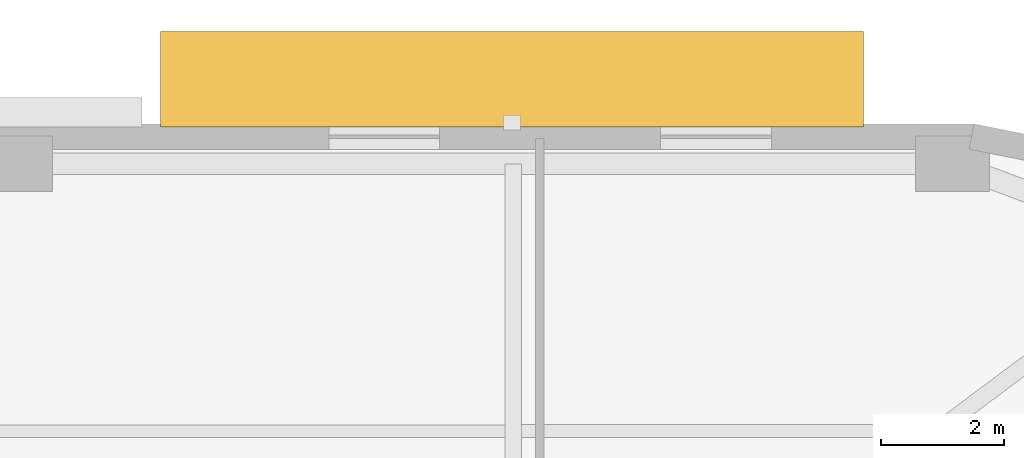
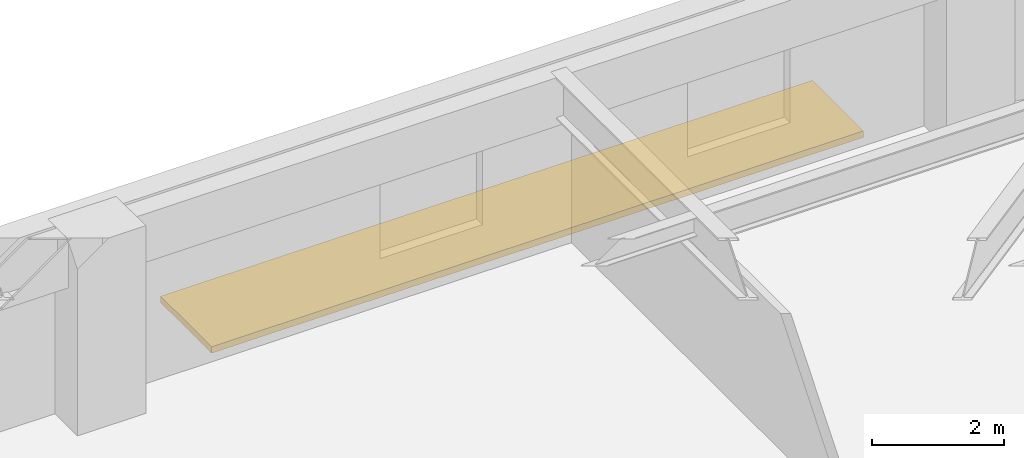
# One storey, part 14 of 14: 1 shading device.
"""IFC4 building model written with IfcOpenShell, lengths in metres."""

from ifc_helpers import new_model, si_unit, direction, frame, origin, origin_2d, place, context, subcontext, project, spatial, rectangle, extrude, material, type_object, element, save


model = new_model("IFC4")

# Units and contexts
model_context = context("Model", 3, precision=1e-05, world=origin(), true_north=direction((0.0, 1.0)))
body_context = subcontext(model_context, "Body", "Model", "MODEL_VIEW")
ifc_project = project(units=[si_unit("LENGTHUNIT", "METRE"), si_unit("AREAUNIT", "SQUARE_METRE"), si_unit("VOLUMEUNIT", "CUBIC_METRE"), si_unit("PLANEANGLEUNIT", "RADIAN"), si_unit("MASSUNIT", "GRAM", prefix="KILO")], contexts=[model_context])

# Site, building, storey
site_placement = place(None, origin())
site = spatial("IfcSite", under=ifc_project, at=site_placement, CompositionType="ELEMENT")
building_placement = place(site_placement, origin())
building = spatial("IfcBuilding", under=site, at=building_placement, Name="Kolvaren Arena Tower", CompositionType="ELEMENT")
storey_placement = place(building_placement, frame((0.0, 0.0, 75.75)))
storey = spatial("IfcBuildingStorey", under=building, at=storey_placement, Name="L16", CompositionType="ELEMENT", Elevation=75.75)

# Shading device
ifc_material = material(Name="Architectural precast GFRC and anodised aluminium sunshade", Category="concrete")
shading_device_type = type_object("IfcShadingDeviceType", Name="SHAD-SINE-B", PredefinedType="JALOUSIE", material=ifc_material)
shading_device_placement = place(storey_placement, frame((60.330078125, 50.22509765625, -0.14013671875), z_axis=(0.0, 0.0, 1.0), x_axis=(1.0, 0.0, 0.0)))
element("IfcShadingDevice", 1, at=shading_device_placement, inside=storey, type_object=shading_device_type, Name="Sinusoidal Slab-Edge Sunshade Louvre (L16)", PredefinedType="JALOUSIE", context=body_context, shape_type="SweptSolid", body=[
    extrude(rectangle(XDim=11.43994140625, YDim=1.55029296875, at=origin_2d()), origin(), (0.0, 0.0, 1.0), 0.1201171875),
])

save(model, "model.ifc")
